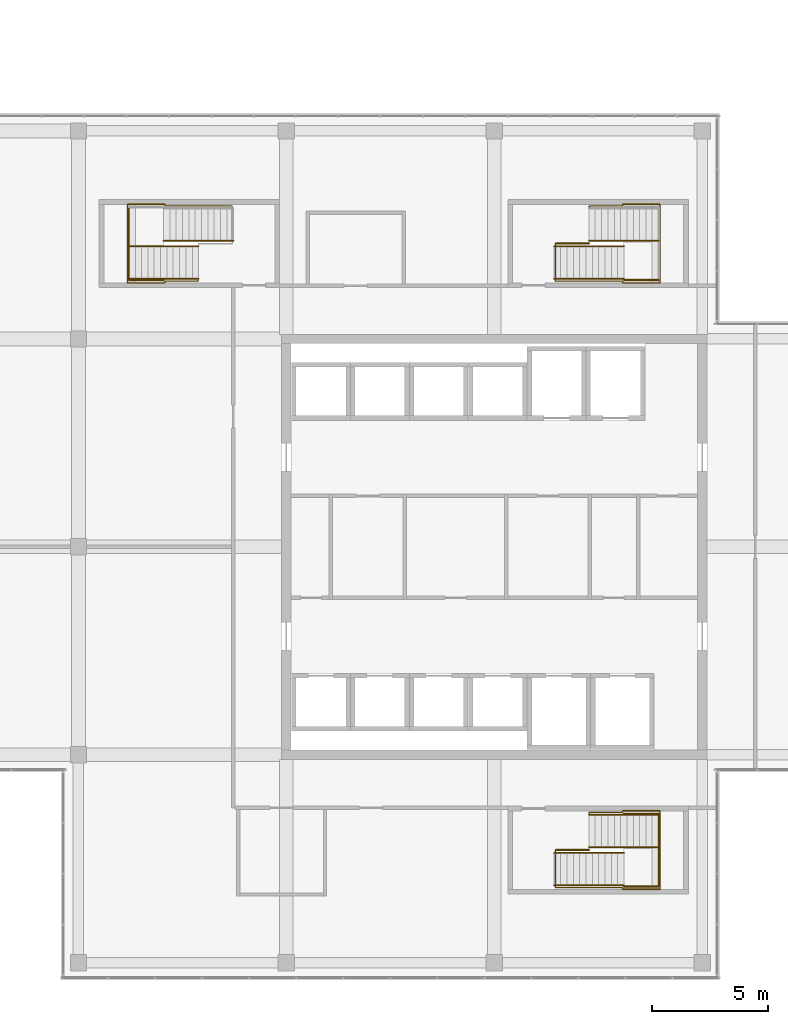
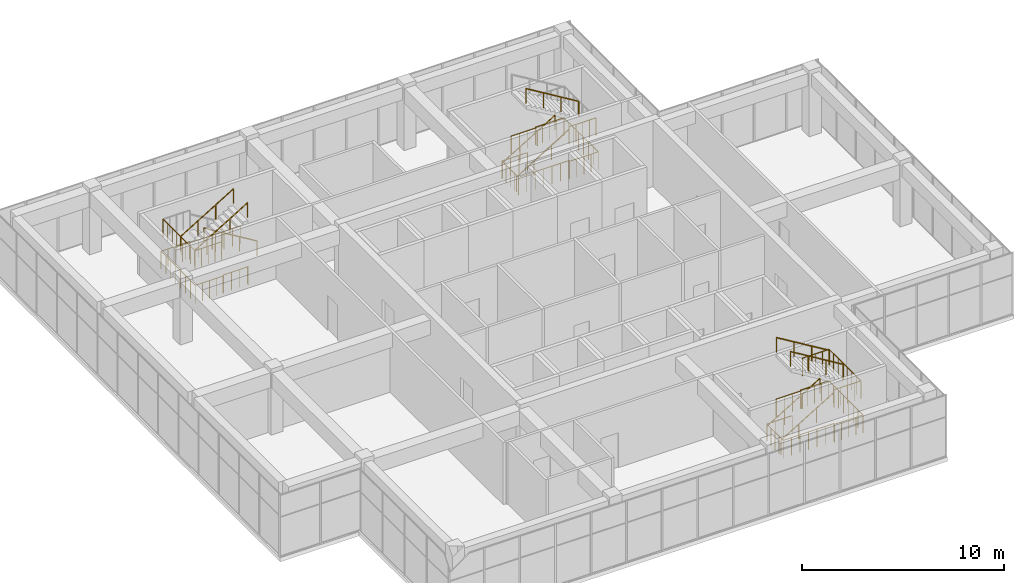
# One storey, part 42 of 43: 21 railings.
"""IFC4 building model written with IfcOpenShell, lengths in metres."""

from ifc_helpers import new_model, si_unit, direction, frame, origin, origin_2d, place, context, subcontext, project, spatial, circle, extrude, material, type_object, element, save


model = new_model("IFC4")

# Units and contexts
model_context = context("Model", 3, precision=1e-05, world=origin(), true_north=direction((0.0, 1.0)))
body_context = subcontext(model_context, "Body", "Model", "MODEL_VIEW")
ifc_project = project(units=[si_unit("LENGTHUNIT", "METRE"), si_unit("AREAUNIT", "SQUARE_METRE"), si_unit("VOLUMEUNIT", "CUBIC_METRE"), si_unit("PLANEANGLEUNIT", "RADIAN"), si_unit("MASSUNIT", "GRAM", prefix="KILO")], contexts=[model_context])

# Site, building, storey
site_placement = place(None, origin())
site = spatial("IfcSite", under=ifc_project, at=site_placement, CompositionType="ELEMENT")
building_placement = place(site_placement, origin())
building = spatial("IfcBuilding", under=site, at=building_placement, Name="Tuart Plaza Theatre", CompositionType="ELEMENT")
storey_placement = place(building_placement, frame((0.0, 0.0, 33.5)))
storey = spatial("IfcBuildingStorey", under=building, at=storey_placement, Name="L08", CompositionType="ELEMENT", Elevation=33.5)

# Railings
ifc_material_1 = material(Name="Steel Grade C350L0", Category="steel")
railing_type_1 = type_object("IfcRailingType", Name="RAILING Guard 1100", PredefinedType="GUARDRAIL", material=ifc_material_1)
railing_1_placement = place(storey_placement, frame((134.655029296875, 60.875, 0.0)))
element("IfcRailing", 1, at=railing_1_placement, inside=storey, type_object=railing_type_1, Name="GR234", PredefinedType="GUARDRAIL", context=body_context, shape_type="SweptSolid", body=[
    extrude(circle(Radius=0.02490234375, at=origin_2d()), frame((0.0, 0.0, 1.0751953125), z_axis=(1.0, 0.0, 0.0), x_axis=(0.0, 1.0, 0.0)), (0.0, 0.0, 1.0), 1.455078125),
    extrude(circle(Radius=0.02001953125, at=origin_2d()), origin(), (0.0, 0.0, 1.0), 1.050048828125),
    extrude(circle(Radius=0.02001953125, at=origin_2d()), frame((0.485107421875, 0.0, 0.0)), (0.0, 0.0, 1.0), 1.050048828125),
    extrude(circle(Radius=0.02001953125, at=origin_2d()), frame((0.969970703125, 0.0, 0.0)), (0.0, 0.0, 1.0), 1.050048828125),
    extrude(circle(Radius=0.02001953125, at=origin_2d()), frame((1.455078125, 0.0, 0.0)), (0.0, 0.0, 1.0), 1.050048828125),
])
railing_2_placement = place(storey_placement, frame((136.114990234375, 62.455078125, 0.0)))
element("IfcRailing", 2, at=railing_2_placement, inside=storey, type_object=railing_type_1, Name="GR235", PredefinedType="GUARDRAIL", context=body_context, shape_type="SweptSolid", body=[
    extrude(circle(Radius=0.02490234375, at=origin_2d()), frame((0.0, 0.0, 1.0751953125), z_axis=(0.0, 1.0, 0.0), x_axis=(-1.0, 0.0, 0.0)), (0.0, 0.0, 1.0), 0.044921875),
    extrude(circle(Radius=0.02490234375, at=origin_2d()), frame((0.0, 0.044921875, 1.0751953125), z_axis=(1.0, 0.0, 0.0), x_axis=(0.0, 1.0, 0.0)), (0.0, 0.0, 1.0), 1.43505859375),
    extrude(circle(Radius=0.02490234375, at=origin_2d()), frame((1.43505859375, 0.044921875, 1.0751953125), z_axis=(0.0, 1.0, 0.0), x_axis=(-1.0, 0.0, 0.0)), (0.0, 0.0, 1.0), 0.074951171875),
    extrude(circle(Radius=0.02490234375, at=origin_2d()), frame((1.43505859375, 0.119873046875, 1.0751953125), z_axis=(1.0, 0.0, 0.0), x_axis=(0.0, 1.0, 0.0)), (0.0, 0.0, 1.0), 1.6298828125),
    extrude(circle(Radius=0.02490234375, at=origin_2d()), frame((3.06494140625, 0.119873046875, 1.0751953125), z_axis=(0.0, -1.0, 0.0), x_axis=(1.0, 0.0, 0.0)), (0.0, 0.0, 1.0), 3.39990234375),
    extrude(circle(Radius=0.02490234375, at=origin_2d()), frame((3.06494140625, -3.280029296875, 1.0751953125), z_axis=(-1.0, 0.0, 0.0), x_axis=(0.0, -1.0, 0.0)), (0.0, 0.0, 1.0), 1.6298828125),
    extrude(circle(Radius=0.02490234375, at=origin_2d()), frame((1.43505859375, -3.280029296875, 1.0751953125), z_axis=(0.0, 1.0, 0.0), x_axis=(-1.0, 0.0, 0.0)), (0.0, 0.0, 1.0), 0.074951171875),
    extrude(circle(Radius=0.02490234375, at=origin_2d()), frame((1.43505859375, -3.205078125, 1.0751953125), z_axis=(-1.0, 0.0, 0.0), x_axis=(0.0, -1.0, 0.0)), (0.0, 0.0, 1.0), 2.89501953125),
    extrude(circle(Radius=0.02490234375, at=origin_2d()), frame((-1.4599609375, -3.205078125, 1.0751953125), z_axis=(0.0, 1.0, 0.0), x_axis=(-1.0, 0.0, 0.0)), (0.0, 0.0, 1.0), 1.625),
    extrude(circle(Radius=0.02001953125, at=origin_2d()), origin(), (0.0, 0.0, 1.0), 1.050048828125),
    extrude(circle(Radius=0.02001953125, at=origin_2d()), frame((0.0, 0.044921875, 0.0)), (0.0, 0.0, 1.0), 1.050048828125),
    extrude(circle(Radius=0.02001953125, at=origin_2d()), frame((0.478271484375, 0.044921875, 0.0)), (0.0, 0.0, 1.0), 1.050048828125),
    extrude(circle(Radius=0.02001953125, at=origin_2d()), frame((0.956787109375, 0.044921875, 0.0)), (0.0, 0.0, 1.0), 1.050048828125),
    extrude(circle(Radius=0.02001953125, at=origin_2d()), frame((1.43505859375, 0.044921875, 0.0)), (0.0, 0.0, 1.0), 1.050048828125),
    extrude(circle(Radius=0.02001953125, at=origin_2d()), frame((1.43505859375, 0.119873046875, 0.0)), (0.0, 0.0, 1.0), 1.050048828125),
    extrude(circle(Radius=0.02001953125, at=origin_2d()), frame((1.842529296875, 0.119873046875, 0.0)), (0.0, 0.0, 1.0), 1.050048828125),
    extrude(circle(Radius=0.02001953125, at=origin_2d()), frame((2.25, 0.119873046875, 0.0)), (0.0, 0.0, 1.0), 1.050048828125),
    extrude(circle(Radius=0.02001953125, at=origin_2d()), frame((2.657470703125, 0.119873046875, 0.0)), (0.0, 0.0, 1.0), 1.050048828125),
    extrude(circle(Radius=0.02001953125, at=origin_2d()), frame((3.06494140625, 0.119873046875, 0.0)), (0.0, 0.0, 1.0), 1.050048828125),
    extrude(circle(Radius=0.02001953125, at=origin_2d()), frame((3.06494140625, -0.36572265625, 0.0)), (0.0, 0.0, 1.0), 1.050048828125),
    extrude(circle(Radius=0.02001953125, at=origin_2d()), frame((3.06494140625, -0.8515625, 0.0)), (0.0, 0.0, 1.0), 1.050048828125),
    extrude(circle(Radius=0.02001953125, at=origin_2d()), frame((3.06494140625, -1.337158203125, 0.0)), (0.0, 0.0, 1.0), 1.050048828125),
    extrude(circle(Radius=0.02001953125, at=origin_2d()), frame((3.06494140625, -1.822998046875, 0.0)), (0.0, 0.0, 1.0), 1.050048828125),
    extrude(circle(Radius=0.02001953125, at=origin_2d()), frame((3.06494140625, -2.30859375, 0.0)), (0.0, 0.0, 1.0), 1.050048828125),
    extrude(circle(Radius=0.02001953125, at=origin_2d()), frame((3.06494140625, -2.79443359375, 0.0)), (0.0, 0.0, 1.0), 1.050048828125),
    extrude(circle(Radius=0.02001953125, at=origin_2d()), frame((3.06494140625, -3.280029296875, 0.0)), (0.0, 0.0, 1.0), 1.050048828125),
    extrude(circle(Radius=0.02001953125, at=origin_2d()), frame((2.657470703125, -3.280029296875, 0.0)), (0.0, 0.0, 1.0), 1.050048828125),
    extrude(circle(Radius=0.02001953125, at=origin_2d()), frame((2.25, -3.280029296875, 0.0)), (0.0, 0.0, 1.0), 1.050048828125),
    extrude(circle(Radius=0.02001953125, at=origin_2d()), frame((1.842529296875, -3.280029296875, 0.0)), (0.0, 0.0, 1.0), 1.050048828125),
    extrude(circle(Radius=0.02001953125, at=origin_2d()), frame((1.43505859375, -3.280029296875, 0.0)), (0.0, 0.0, 1.0), 1.050048828125),
    extrude(circle(Radius=0.02001953125, at=origin_2d()), frame((1.43505859375, -3.205078125, 0.0)), (0.0, 0.0, 1.0), 1.050048828125),
    extrude(circle(Radius=0.02001953125, at=origin_2d()), frame((0.95263671875, -3.205078125, 0.0)), (0.0, 0.0, 1.0), 1.050048828125),
    extrude(circle(Radius=0.02001953125, at=origin_2d()), frame((0.469970703125, -3.205078125, 0.0)), (0.0, 0.0, 1.0), 1.050048828125),
    extrude(circle(Radius=0.02001953125, at=origin_2d()), frame((-0.012451171875, -3.205078125, 0.0)), (0.0, 0.0, 1.0), 1.050048828125),
    extrude(circle(Radius=0.02001953125, at=origin_2d()), frame((-0.494873046875, -3.205078125, 0.0)), (0.0, 0.0, 1.0), 1.050048828125),
    extrude(circle(Radius=0.02001953125, at=origin_2d()), frame((-0.9775390625, -3.205078125, 0.0)), (0.0, 0.0, 1.0), 1.050048828125),
    extrude(circle(Radius=0.02001953125, at=origin_2d()), frame((-1.4599609375, -3.205078125, 0.0)), (0.0, 0.0, 1.0), 1.050048828125),
    extrude(circle(Radius=0.02001953125, at=origin_2d()), frame((-1.4599609375, -2.798828125, 0.0)), (0.0, 0.0, 1.0), 1.050048828125),
    extrude(circle(Radius=0.02001953125, at=origin_2d()), frame((-1.4599609375, -2.392578125, 0.0)), (0.0, 0.0, 1.0), 1.050048828125),
    extrude(circle(Radius=0.02001953125, at=origin_2d()), frame((-1.4599609375, -1.986328125, 0.0)), (0.0, 0.0, 1.0), 1.050048828125),
    extrude(circle(Radius=0.02001953125, at=origin_2d()), frame((-1.4599609375, -1.580078125, 0.0)), (0.0, 0.0, 1.0), 1.050048828125),
])
railing_3_placement = place(storey_placement, frame((137.60009765625, 59.300048828125, 2.0)))
element("IfcRailing", 3, at=railing_3_placement, inside=storey, type_object=railing_type_1, Name="GR241", PredefinedType="GUARDRAIL", context=body_context, shape_type="SweptSolid", body=[
    extrude(circle(Radius=0.02490234375, at=origin_2d()), frame((0.0, 0.0, 1.0751953125), z_axis=(1.0, 0.0, 0.0), x_axis=(0.0, 1.0, 0.0)), (0.0, 0.0, 1.0), 1.52978515625),
    extrude(circle(Radius=0.02001953125, at=origin_2d()), origin(), (0.0, 0.0, 1.0), 1.050048828125),
    extrude(circle(Radius=0.02001953125, at=origin_2d()), frame((0.38232421875, 0.0, 0.0)), (0.0, 0.0, 1.0), 1.050048828125),
    extrude(circle(Radius=0.02001953125, at=origin_2d()), frame((0.764892578125, 0.0, 0.0)), (0.0, 0.0, 1.0), 1.050048828125),
    extrude(circle(Radius=0.02001953125, at=origin_2d()), frame((1.1474609375, 0.0, 0.0)), (0.0, 0.0, 1.0), 1.050048828125),
    extrude(circle(Radius=0.02001953125, at=origin_2d()), frame((1.52978515625, 0.0, 0.0)), (0.0, 0.0, 1.0), 1.050048828125),
])
railing_4_placement = place(storey_placement, frame((139.1298828125, 59.300048828125, 2.0)))
element("IfcRailing", 4, at=railing_4_placement, inside=storey, type_object=railing_type_1, Name="GR242", PredefinedType="GUARDRAIL", context=body_context, shape_type="SweptSolid", body=[
    extrude(circle(Radius=0.02490234375, at=origin_2d()), frame((0.0, 0.0, 1.0751953125), z_axis=(0.0, 1.0, 0.0), x_axis=(-1.0, 0.0, 0.0)), (0.0, 0.0, 1.0), 3.14990234375),
    extrude(circle(Radius=0.02001953125, at=origin_2d()), origin(), (0.0, 0.0, 1.0), 1.050048828125),
    extrude(circle(Radius=0.02001953125, at=origin_2d()), frame((0.0, 0.449951171875, 0.0)), (0.0, 0.0, 1.0), 1.050048828125),
    extrude(circle(Radius=0.02001953125, at=origin_2d()), frame((0.0, 0.89990234375, 0.0)), (0.0, 0.0, 1.0), 1.050048828125),
    extrude(circle(Radius=0.02001953125, at=origin_2d()), frame((0.0, 1.349853515625, 0.0)), (0.0, 0.0, 1.0), 1.050048828125),
    extrude(circle(Radius=0.02001953125, at=origin_2d()), frame((0.0, 1.800048828125, 0.0)), (0.0, 0.0, 1.0), 1.050048828125),
    extrude(circle(Radius=0.02001953125, at=origin_2d()), frame((0.0, 2.25, 0.0)), (0.0, 0.0, 1.0), 1.050048828125),
    extrude(circle(Radius=0.02001953125, at=origin_2d()), frame((0.0, 2.699951171875, 0.0)), (0.0, 0.0, 1.0), 1.050048828125),
    extrude(circle(Radius=0.02001953125, at=origin_2d()), frame((0.0, 3.14990234375, 0.0)), (0.0, 0.0, 1.0), 1.050048828125),
])
railing_5_placement = place(storey_placement, frame((139.1298828125, 62.449951171875, 2.0)))
element("IfcRailing", 5, at=railing_5_placement, inside=storey, type_object=railing_type_1, Name="GR243", PredefinedType="GUARDRAIL", context=body_context, shape_type="SweptSolid", body=[
    extrude(circle(Radius=0.02490234375, at=origin_2d()), frame((0.0, 0.0, 1.0751953125), z_axis=(-1.0, 0.0, 0.0), x_axis=(0.0, -1.0, 0.0)), (0.0, 0.0, 1.0), 1.52978515625),
    extrude(circle(Radius=0.02001953125, at=origin_2d()), origin(), (0.0, 0.0, 1.0), 1.050048828125),
    extrude(circle(Radius=0.02001953125, at=origin_2d()), frame((-0.38232421875, 0.0, 0.0)), (0.0, 0.0, 1.0), 1.050048828125),
    extrude(circle(Radius=0.02001953125, at=origin_2d()), frame((-0.764892578125, 0.0, 0.0)), (0.0, 0.0, 1.0), 1.050048828125),
    extrude(circle(Radius=0.02001953125, at=origin_2d()), frame((-1.1474609375, 0.0, 0.0)), (0.0, 0.0, 1.0), 1.050048828125),
    extrude(circle(Radius=0.02001953125, at=origin_2d()), frame((-1.52978515625, 0.0, 0.0)), (0.0, 0.0, 1.0), 1.050048828125),
])
railing_6_placement = place(storey_placement, frame((134.655029296875, 87.125, 0.0)))
element("IfcRailing", 6, at=railing_6_placement, inside=storey, type_object=railing_type_1, Name="GR313", PredefinedType="GUARDRAIL", context=body_context, shape_type="SweptSolid", body=[
    extrude(circle(Radius=0.02490234375, at=origin_2d()), frame((0.0, 0.0, 1.0751953125), z_axis=(1.0, 0.0, 0.0), x_axis=(0.0, 1.0, 0.0)), (0.0, 0.0, 1.0), 1.455078125),
    extrude(circle(Radius=0.02001953125, at=origin_2d()), origin(), (0.0, 0.0, 1.0), 1.050048828125),
    extrude(circle(Radius=0.02001953125, at=origin_2d()), frame((0.485107421875, 0.0, 0.0)), (0.0, 0.0, 1.0), 1.050048828125),
    extrude(circle(Radius=0.02001953125, at=origin_2d()), frame((0.969970703125, 0.0, 0.0)), (0.0, 0.0, 1.0), 1.050048828125),
    extrude(circle(Radius=0.02001953125, at=origin_2d()), frame((1.455078125, 0.0, 0.0)), (0.0, 0.0, 1.0), 1.050048828125),
])
railing_7_placement = place(storey_placement, frame((136.114990234375, 88.705078125, 0.0)))
element("IfcRailing", 7, at=railing_7_placement, inside=storey, type_object=railing_type_1, Name="GR314", PredefinedType="GUARDRAIL", context=body_context, shape_type="SweptSolid", body=[
    extrude(circle(Radius=0.02490234375, at=origin_2d()), frame((0.0, 0.0, 1.0751953125), z_axis=(0.0, 1.0, 0.0), x_axis=(-1.0, 0.0, 0.0)), (0.0, 0.0, 1.0), 0.044921875),
    extrude(circle(Radius=0.02490234375, at=origin_2d()), frame((0.0, 0.044921875, 1.0751953125), z_axis=(1.0, 0.0, 0.0), x_axis=(0.0, 1.0, 0.0)), (0.0, 0.0, 1.0), 1.43505859375),
    extrude(circle(Radius=0.02490234375, at=origin_2d()), frame((1.43505859375, 0.044921875, 1.0751953125), z_axis=(0.0, 1.0, 0.0), x_axis=(-1.0, 0.0, 0.0)), (0.0, 0.0, 1.0), 0.074951171875),
    extrude(circle(Radius=0.02490234375, at=origin_2d()), frame((1.43505859375, 0.119873046875, 1.0751953125), z_axis=(1.0, 0.0, 0.0), x_axis=(0.0, 1.0, 0.0)), (0.0, 0.0, 1.0), 1.6298828125),
    extrude(circle(Radius=0.02490234375, at=origin_2d()), frame((3.06494140625, 0.119873046875, 1.0751953125), z_axis=(0.0, -1.0, 0.0), x_axis=(1.0, 0.0, 0.0)), (0.0, 0.0, 1.0), 3.39990234375),
    extrude(circle(Radius=0.02490234375, at=origin_2d()), frame((3.06494140625, -3.280029296875, 1.0751953125), z_axis=(-1.0, 0.0, 0.0), x_axis=(0.0, -1.0, 0.0)), (0.0, 0.0, 1.0), 1.6298828125),
    extrude(circle(Radius=0.02490234375, at=origin_2d()), frame((1.43505859375, -3.280029296875, 1.0751953125), z_axis=(0.0, 1.0, 0.0), x_axis=(-1.0, 0.0, 0.0)), (0.0, 0.0, 1.0), 0.074951171875),
    extrude(circle(Radius=0.02490234375, at=origin_2d()), frame((1.43505859375, -3.205078125, 1.0751953125), z_axis=(-1.0, 0.0, 0.0), x_axis=(0.0, -1.0, 0.0)), (0.0, 0.0, 1.0), 2.89501953125),
    extrude(circle(Radius=0.02490234375, at=origin_2d()), frame((-1.4599609375, -3.205078125, 1.0751953125), z_axis=(0.0, 1.0, 0.0), x_axis=(-1.0, 0.0, 0.0)), (0.0, 0.0, 1.0), 1.625),
    extrude(circle(Radius=0.02001953125, at=origin_2d()), origin(), (0.0, 0.0, 1.0), 1.050048828125),
    extrude(circle(Radius=0.02001953125, at=origin_2d()), frame((0.0, 0.044921875, 0.0)), (0.0, 0.0, 1.0), 1.050048828125),
    extrude(circle(Radius=0.02001953125, at=origin_2d()), frame((0.478271484375, 0.044921875, 0.0)), (0.0, 0.0, 1.0), 1.050048828125),
    extrude(circle(Radius=0.02001953125, at=origin_2d()), frame((0.956787109375, 0.044921875, 0.0)), (0.0, 0.0, 1.0), 1.050048828125),
    extrude(circle(Radius=0.02001953125, at=origin_2d()), frame((1.43505859375, 0.044921875, 0.0)), (0.0, 0.0, 1.0), 1.050048828125),
    extrude(circle(Radius=0.02001953125, at=origin_2d()), frame((1.43505859375, 0.119873046875, 0.0)), (0.0, 0.0, 1.0), 1.050048828125),
    extrude(circle(Radius=0.02001953125, at=origin_2d()), frame((1.842529296875, 0.119873046875, 0.0)), (0.0, 0.0, 1.0), 1.050048828125),
    extrude(circle(Radius=0.02001953125, at=origin_2d()), frame((2.25, 0.119873046875, 0.0)), (0.0, 0.0, 1.0), 1.050048828125),
    extrude(circle(Radius=0.02001953125, at=origin_2d()), frame((2.657470703125, 0.119873046875, 0.0)), (0.0, 0.0, 1.0), 1.050048828125),
    extrude(circle(Radius=0.02001953125, at=origin_2d()), frame((3.06494140625, 0.119873046875, 0.0)), (0.0, 0.0, 1.0), 1.050048828125),
    extrude(circle(Radius=0.02001953125, at=origin_2d()), frame((3.06494140625, -0.36572265625, 0.0)), (0.0, 0.0, 1.0), 1.050048828125),
    extrude(circle(Radius=0.02001953125, at=origin_2d()), frame((3.06494140625, -0.8515625, 0.0)), (0.0, 0.0, 1.0), 1.050048828125),
    extrude(circle(Radius=0.02001953125, at=origin_2d()), frame((3.06494140625, -1.337158203125, 0.0)), (0.0, 0.0, 1.0), 1.050048828125),
    extrude(circle(Radius=0.02001953125, at=origin_2d()), frame((3.06494140625, -1.822998046875, 0.0)), (0.0, 0.0, 1.0), 1.050048828125),
    extrude(circle(Radius=0.02001953125, at=origin_2d()), frame((3.06494140625, -2.30859375, 0.0)), (0.0, 0.0, 1.0), 1.050048828125),
    extrude(circle(Radius=0.02001953125, at=origin_2d()), frame((3.06494140625, -2.79443359375, 0.0)), (0.0, 0.0, 1.0), 1.050048828125),
    extrude(circle(Radius=0.02001953125, at=origin_2d()), frame((3.06494140625, -3.280029296875, 0.0)), (0.0, 0.0, 1.0), 1.050048828125),
    extrude(circle(Radius=0.02001953125, at=origin_2d()), frame((2.657470703125, -3.280029296875, 0.0)), (0.0, 0.0, 1.0), 1.050048828125),
    extrude(circle(Radius=0.02001953125, at=origin_2d()), frame((2.25, -3.280029296875, 0.0)), (0.0, 0.0, 1.0), 1.050048828125),
    extrude(circle(Radius=0.02001953125, at=origin_2d()), frame((1.842529296875, -3.280029296875, 0.0)), (0.0, 0.0, 1.0), 1.050048828125),
    extrude(circle(Radius=0.02001953125, at=origin_2d()), frame((1.43505859375, -3.280029296875, 0.0)), (0.0, 0.0, 1.0), 1.050048828125),
    extrude(circle(Radius=0.02001953125, at=origin_2d()), frame((1.43505859375, -3.205078125, 0.0)), (0.0, 0.0, 1.0), 1.050048828125),
    extrude(circle(Radius=0.02001953125, at=origin_2d()), frame((0.95263671875, -3.205078125, 0.0)), (0.0, 0.0, 1.0), 1.050048828125),
    extrude(circle(Radius=0.02001953125, at=origin_2d()), frame((0.469970703125, -3.205078125, 0.0)), (0.0, 0.0, 1.0), 1.050048828125),
    extrude(circle(Radius=0.02001953125, at=origin_2d()), frame((-0.012451171875, -3.205078125, 0.0)), (0.0, 0.0, 1.0), 1.050048828125),
    extrude(circle(Radius=0.02001953125, at=origin_2d()), frame((-0.494873046875, -3.205078125, 0.0)), (0.0, 0.0, 1.0), 1.050048828125),
    extrude(circle(Radius=0.02001953125, at=origin_2d()), frame((-0.9775390625, -3.205078125, 0.0)), (0.0, 0.0, 1.0), 1.050048828125),
    extrude(circle(Radius=0.02001953125, at=origin_2d()), frame((-1.4599609375, -3.205078125, 0.0)), (0.0, 0.0, 1.0), 1.050048828125),
    extrude(circle(Radius=0.02001953125, at=origin_2d()), frame((-1.4599609375, -2.798828125, 0.0)), (0.0, 0.0, 1.0), 1.050048828125),
    extrude(circle(Radius=0.02001953125, at=origin_2d()), frame((-1.4599609375, -2.392578125, 0.0)), (0.0, 0.0, 1.0), 1.050048828125),
    extrude(circle(Radius=0.02001953125, at=origin_2d()), frame((-1.4599609375, -1.986328125, 0.0)), (0.0, 0.0, 1.0), 1.050048828125),
    extrude(circle(Radius=0.02001953125, at=origin_2d()), frame((-1.4599609375, -1.580078125, 0.0)), (0.0, 0.0, 1.0), 1.050048828125),
])
railing_8_placement = place(storey_placement, frame((137.60009765625, 85.550048828125, 2.0)))
element("IfcRailing", 8, at=railing_8_placement, inside=storey, type_object=railing_type_1, Name="GR320", PredefinedType="GUARDRAIL", context=body_context, shape_type="SweptSolid", body=[
    extrude(circle(Radius=0.02490234375, at=origin_2d()), frame((0.0, 0.0, 1.0751953125), z_axis=(1.0, 0.0, 0.0), x_axis=(0.0, 1.0, 0.0)), (0.0, 0.0, 1.0), 1.52978515625),
    extrude(circle(Radius=0.02001953125, at=origin_2d()), origin(), (0.0, 0.0, 1.0), 1.050048828125),
    extrude(circle(Radius=0.02001953125, at=origin_2d()), frame((0.38232421875, 0.0, 0.0)), (0.0, 0.0, 1.0), 1.050048828125),
    extrude(circle(Radius=0.02001953125, at=origin_2d()), frame((0.764892578125, 0.0, 0.0)), (0.0, 0.0, 1.0), 1.050048828125),
    extrude(circle(Radius=0.02001953125, at=origin_2d()), frame((1.1474609375, 0.0, 0.0)), (0.0, 0.0, 1.0), 1.050048828125),
    extrude(circle(Radius=0.02001953125, at=origin_2d()), frame((1.52978515625, 0.0, 0.0)), (0.0, 0.0, 1.0), 1.050048828125),
])
railing_9_placement = place(storey_placement, frame((119.18505859375, 85.544921875, 0.0)))
element("IfcRailing", 9, at=railing_9_placement, inside=storey, type_object=railing_type_1, Name="GR393", PredefinedType="GUARDRAIL", context=body_context, shape_type="SweptSolid", body=[
    extrude(circle(Radius=0.02490234375, at=origin_2d()), frame((0.0, 0.0, 1.0751953125), z_axis=(0.0, -1.0, 0.0), x_axis=(1.0, 0.0, 0.0)), (0.0, 0.0, 1.0), 0.044921875),
    extrude(circle(Radius=0.02490234375, at=origin_2d()), frame((0.0, -0.044921875, 1.0751953125), z_axis=(-1.0, 0.0, 0.0), x_axis=(0.0, -1.0, 0.0)), (0.0, 0.0, 1.0), 1.43505859375),
    extrude(circle(Radius=0.02490234375, at=origin_2d()), frame((-1.43505859375, -0.044921875, 1.0751953125), z_axis=(0.0, -1.0, 0.0), x_axis=(1.0, 0.0, 0.0)), (0.0, 0.0, 1.0), 0.074951171875),
    extrude(circle(Radius=0.02490234375, at=origin_2d()), frame((-1.43505859375, -0.119873046875, 1.0751953125), z_axis=(-1.0, 0.0, 0.0), x_axis=(0.0, -1.0, 0.0)), (0.0, 0.0, 1.0), 1.6298828125),
    extrude(circle(Radius=0.02490234375, at=origin_2d()), frame((-3.06494140625, -0.119873046875, 1.0751953125), z_axis=(0.0, 1.0, 0.0), x_axis=(-1.0, 0.0, 0.0)), (0.0, 0.0, 1.0), 3.39990234375),
    extrude(circle(Radius=0.02490234375, at=origin_2d()), frame((-3.06494140625, 3.280029296875, 1.0751953125), z_axis=(1.0, 0.0, 0.0), x_axis=(0.0, 1.0, 0.0)), (0.0, 0.0, 1.0), 1.6298828125),
    extrude(circle(Radius=0.02490234375, at=origin_2d()), frame((-1.43505859375, 3.280029296875, 1.0751953125), z_axis=(0.0, -1.0, 0.0), x_axis=(1.0, 0.0, 0.0)), (0.0, 0.0, 1.0), 0.074951171875),
    extrude(circle(Radius=0.02490234375, at=origin_2d()), frame((-1.43505859375, 3.205078125, 1.0751953125), z_axis=(1.0, 0.0, 0.0), x_axis=(0.0, 1.0, 0.0)), (0.0, 0.0, 1.0), 2.89501953125),
    extrude(circle(Radius=0.02001953125, at=origin_2d()), origin(), (0.0, 0.0, 1.0), 1.050048828125),
    extrude(circle(Radius=0.02001953125, at=origin_2d()), frame((0.0, -0.044921875, 0.0)), (0.0, 0.0, 1.0), 1.050048828125),
    extrude(circle(Radius=0.02001953125, at=origin_2d()), frame((-0.478271484375, -0.044921875, 0.0)), (0.0, 0.0, 1.0), 1.050048828125),
    extrude(circle(Radius=0.02001953125, at=origin_2d()), frame((-0.956787109375, -0.044921875, 0.0)), (0.0, 0.0, 1.0), 1.050048828125),
    extrude(circle(Radius=0.02001953125, at=origin_2d()), frame((-1.43505859375, -0.044921875, 0.0)), (0.0, 0.0, 1.0), 1.050048828125),
    extrude(circle(Radius=0.02001953125, at=origin_2d()), frame((-1.43505859375, -0.119873046875, 0.0)), (0.0, 0.0, 1.0), 1.050048828125),
    extrude(circle(Radius=0.02001953125, at=origin_2d()), frame((-1.842529296875, -0.119873046875, 0.0)), (0.0, 0.0, 1.0), 1.050048828125),
    extrude(circle(Radius=0.02001953125, at=origin_2d()), frame((-2.25, -0.119873046875, 0.0)), (0.0, 0.0, 1.0), 1.050048828125),
    extrude(circle(Radius=0.02001953125, at=origin_2d()), frame((-2.657470703125, -0.119873046875, 0.0)), (0.0, 0.0, 1.0), 1.050048828125),
    extrude(circle(Radius=0.02001953125, at=origin_2d()), frame((-3.06494140625, -0.119873046875, 0.0)), (0.0, 0.0, 1.0), 1.050048828125),
    extrude(circle(Radius=0.02001953125, at=origin_2d()), frame((-3.06494140625, 0.36572265625, 0.0)), (0.0, 0.0, 1.0), 1.050048828125),
    extrude(circle(Radius=0.02001953125, at=origin_2d()), frame((-3.06494140625, 0.8515625, 0.0)), (0.0, 0.0, 1.0), 1.050048828125),
    extrude(circle(Radius=0.02001953125, at=origin_2d()), frame((-3.06494140625, 1.337158203125, 0.0)), (0.0, 0.0, 1.0), 1.050048828125),
    extrude(circle(Radius=0.02001953125, at=origin_2d()), frame((-3.06494140625, 1.822998046875, 0.0)), (0.0, 0.0, 1.0), 1.050048828125),
    extrude(circle(Radius=0.02001953125, at=origin_2d()), frame((-3.06494140625, 2.30859375, 0.0)), (0.0, 0.0, 1.0), 1.050048828125),
    extrude(circle(Radius=0.02001953125, at=origin_2d()), frame((-3.06494140625, 2.79443359375, 0.0)), (0.0, 0.0, 1.0), 1.050048828125),
    extrude(circle(Radius=0.02001953125, at=origin_2d()), frame((-3.06494140625, 3.280029296875, 0.0)), (0.0, 0.0, 1.0), 1.050048828125),
    extrude(circle(Radius=0.02001953125, at=origin_2d()), frame((-2.657470703125, 3.280029296875, 0.0)), (0.0, 0.0, 1.0), 1.050048828125),
    extrude(circle(Radius=0.02001953125, at=origin_2d()), frame((-2.25, 3.280029296875, 0.0)), (0.0, 0.0, 1.0), 1.050048828125),
    extrude(circle(Radius=0.02001953125, at=origin_2d()), frame((-1.842529296875, 3.280029296875, 0.0)), (0.0, 0.0, 1.0), 1.050048828125),
    extrude(circle(Radius=0.02001953125, at=origin_2d()), frame((-1.43505859375, 3.280029296875, 0.0)), (0.0, 0.0, 1.0), 1.050048828125),
    extrude(circle(Radius=0.02001953125, at=origin_2d()), frame((-1.43505859375, 3.205078125, 0.0)), (0.0, 0.0, 1.0), 1.050048828125),
    extrude(circle(Radius=0.02001953125, at=origin_2d()), frame((-0.95263671875, 3.205078125, 0.0)), (0.0, 0.0, 1.0), 1.050048828125),
    extrude(circle(Radius=0.02001953125, at=origin_2d()), frame((-0.469970703125, 3.205078125, 0.0)), (0.0, 0.0, 1.0), 1.050048828125),
    extrude(circle(Radius=0.02001953125, at=origin_2d()), frame((0.012451171875, 3.205078125, 0.0)), (0.0, 0.0, 1.0), 1.050048828125),
    extrude(circle(Radius=0.02001953125, at=origin_2d()), frame((0.494873046875, 3.205078125, 0.0)), (0.0, 0.0, 1.0), 1.050048828125),
    extrude(circle(Radius=0.02001953125, at=origin_2d()), frame((0.9775390625, 3.205078125, 0.0)), (0.0, 0.0, 1.0), 1.050048828125),
    extrude(circle(Radius=0.02001953125, at=origin_2d()), frame((1.4599609375, 3.205078125, 0.0)), (0.0, 0.0, 1.0), 1.050048828125),
])
railing_10_placement = place(storey_placement, frame((116.169921875, 88.699951171875, 2.0)))
element("IfcRailing", 10, at=railing_10_placement, inside=storey, type_object=railing_type_1, Name="GR400", PredefinedType="GUARDRAIL", context=body_context, shape_type="SweptSolid", body=[
    extrude(circle(Radius=0.02490234375, at=origin_2d()), frame((0.0, 0.0, 1.0751953125), z_axis=(0.0, -1.0, 0.0), x_axis=(1.0, 0.0, 0.0)), (0.0, 0.0, 1.0), 3.14990234375),
    extrude(circle(Radius=0.02001953125, at=origin_2d()), origin(), (0.0, 0.0, 1.0), 1.050048828125),
    extrude(circle(Radius=0.02001953125, at=origin_2d()), frame((0.0, -0.449951171875, 0.0)), (0.0, 0.0, 1.0), 1.050048828125),
    extrude(circle(Radius=0.02001953125, at=origin_2d()), frame((0.0, -0.89990234375, 0.0)), (0.0, 0.0, 1.0), 1.050048828125),
    extrude(circle(Radius=0.02001953125, at=origin_2d()), frame((0.0, -1.349853515625, 0.0)), (0.0, 0.0, 1.0), 1.050048828125),
    extrude(circle(Radius=0.02001953125, at=origin_2d()), frame((0.0, -1.800048828125, 0.0)), (0.0, 0.0, 1.0), 1.050048828125),
    extrude(circle(Radius=0.02001953125, at=origin_2d()), frame((0.0, -2.25, 0.0)), (0.0, 0.0, 1.0), 1.050048828125),
    extrude(circle(Radius=0.02001953125, at=origin_2d()), frame((0.0, -2.699951171875, 0.0)), (0.0, 0.0, 1.0), 1.050048828125),
    extrude(circle(Radius=0.02001953125, at=origin_2d()), frame((0.0, -3.14990234375, 0.0)), (0.0, 0.0, 1.0), 1.050048828125),
])
railing_11_placement = place(storey_placement, frame((116.169921875, 85.550048828125, 2.0)))
element("IfcRailing", 11, at=railing_11_placement, inside=storey, type_object=railing_type_1, Name="GR401", PredefinedType="GUARDRAIL", context=body_context, shape_type="SweptSolid", body=[
    extrude(circle(Radius=0.02490234375, at=origin_2d()), frame((0.0, 0.0, 1.0751953125), z_axis=(1.0, 0.0, 0.0), x_axis=(0.0, 1.0, 0.0)), (0.0, 0.0, 1.0), 1.530029296875),
    extrude(circle(Radius=0.02001953125, at=origin_2d()), origin(), (0.0, 0.0, 1.0), 1.050048828125),
    extrude(circle(Radius=0.02001953125, at=origin_2d()), frame((0.382568359375, 0.0, 0.0)), (0.0, 0.0, 1.0), 1.050048828125),
    extrude(circle(Radius=0.02001953125, at=origin_2d()), frame((0.76513671875, 0.0, 0.0)), (0.0, 0.0, 1.0), 1.050048828125),
    extrude(circle(Radius=0.02001953125, at=origin_2d()), frame((1.1474609375, 0.0, 0.0)), (0.0, 0.0, 1.0), 1.050048828125),
    extrude(circle(Radius=0.02001953125, at=origin_2d()), frame((1.530029296875, 0.0, 0.0)), (0.0, 0.0, 1.0), 1.050048828125),
])
ifc_material_2 = material(Name="Steel Grade C350L0", Category="steel")
railing_type_2 = type_object("IfcRailingType", Name="RAILING Handrail 900", PredefinedType="HANDRAIL", material=ifc_material_2)
for number, where, name in (
    (12, (134.594970703125, 60.75, 0.166748046875), "HR147"),
    (13, (134.594970703125, 59.35009765625, 0.166748046875), "HR148"),
):
    element("IfcRailing", number, at=place(storey_placement, frame(where)), inside=storey, type_object=railing_type_2, Name=name, PredefinedType="HANDRAIL", context=body_context, shape_type="SweptSolid", body=[
        extrude(circle(Radius=0.0224609375, at=origin_2d()), frame((0.0, 0.0, 0.87744140625), z_axis=(0.855219153138, 0.0, 0.518266533848), x_axis=(0.0, 1.0, 0.0)), (0.0, 0.0, 1.0), 3.537353515625),
        extrude(circle(Radius=0.01513671875, at=origin_2d()), origin(), (0.0, 0.0, 1.0), 0.85498046875),
        extrude(circle(Radius=0.01513671875, at=origin_2d()), frame((1.00830078125, 0.0, 0.611083984375)), (0.0, 0.0, 1.0), 0.85498046875),
        extrude(circle(Radius=0.01513671875, at=origin_2d()), frame((2.016845703125, 0.0, 1.22216796875)), (0.0, 0.0, 1.0), 0.85498046875),
        extrude(circle(Radius=0.01513671875, at=origin_2d()), frame((3.025146484375, 0.0, 1.833251953125)), (0.0, 0.0, 1.0), 0.85498046875),
    ])
for number, where, name in (
    (14, (139.1201171875, 61.0, 2.166748046875), "HR149"),
    (15, (139.1201171875, 62.39990234375, 2.166748046875), "HR150"),
):
    element("IfcRailing", number, at=place(storey_placement, frame(where)), inside=storey, type_object=railing_type_2, Name=name, PredefinedType="HANDRAIL", context=body_context, shape_type="SweptSolid", body=[
        extrude(circle(Radius=0.0224609375, at=origin_2d()), frame((0.0, 0.0, 0.87744140625), z_axis=(-0.855219153138, 0.0, 0.518266533848), x_axis=(0.0, -1.0, 0.0)), (0.0, 0.0, 1.0), 3.537353515625),
        extrude(circle(Radius=0.01513671875, at=origin_2d()), origin(), (0.0, 0.0, 1.0), 0.85498046875),
        extrude(circle(Radius=0.01513671875, at=origin_2d()), frame((-1.00830078125, 0.0, 0.611083984375)), (0.0, 0.0, 1.0), 0.85498046875),
        extrude(circle(Radius=0.01513671875, at=origin_2d()), frame((-2.016845703125, 0.0, 1.22216796875)), (0.0, 0.0, 1.0), 0.85498046875),
        extrude(circle(Radius=0.01513671875, at=origin_2d()), frame((-3.025146484375, 0.0, 1.833251953125)), (0.0, 0.0, 1.0), 0.85498046875),
    ])
for number, where, name in (
    (16, (134.594970703125, 87.0, 0.166748046875), "HR211"),
    (17, (134.594970703125, 85.60009765625, 0.166748046875), "HR212"),
):
    element("IfcRailing", number, at=place(storey_placement, frame(where)), inside=storey, type_object=railing_type_2, Name=name, PredefinedType="HANDRAIL", context=body_context, shape_type="SweptSolid", body=[
        extrude(circle(Radius=0.0224609375, at=origin_2d()), frame((0.0, 0.0, 0.87744140625), z_axis=(0.855219153138, 0.0, 0.518266533848), x_axis=(0.0, 1.0, 0.0)), (0.0, 0.0, 1.0), 3.537353515625),
        extrude(circle(Radius=0.01513671875, at=origin_2d()), origin(), (0.0, 0.0, 1.0), 0.85498046875),
        extrude(circle(Radius=0.01513671875, at=origin_2d()), frame((1.00830078125, 0.0, 0.611083984375)), (0.0, 0.0, 1.0), 0.85498046875),
        extrude(circle(Radius=0.01513671875, at=origin_2d()), frame((2.016845703125, 0.0, 1.22216796875)), (0.0, 0.0, 1.0), 0.85498046875),
        extrude(circle(Radius=0.01513671875, at=origin_2d()), frame((3.025146484375, 0.0, 1.833251953125)), (0.0, 0.0, 1.0), 0.85498046875),
    ])
for number, where, name in (
    (18, (139.1201171875, 87.25, 2.166748046875), "HR213"),
    (19, (120.705078125, 87.25, 0.166748046875), "HR275"),
):
    element("IfcRailing", number, at=place(storey_placement, frame(where)), inside=storey, type_object=railing_type_2, Name=name, PredefinedType="HANDRAIL", context=body_context, shape_type="SweptSolid", body=[
        extrude(circle(Radius=0.0224609375, at=origin_2d()), frame((0.0, 0.0, 0.87744140625), z_axis=(-0.855219153138, 0.0, 0.518266533848), x_axis=(0.0, -1.0, 0.0)), (0.0, 0.0, 1.0), 3.537353515625),
        extrude(circle(Radius=0.01513671875, at=origin_2d()), origin(), (0.0, 0.0, 1.0), 0.85498046875),
        extrude(circle(Radius=0.01513671875, at=origin_2d()), frame((-1.00830078125, 0.0, 0.611083984375)), (0.0, 0.0, 1.0), 0.85498046875),
        extrude(circle(Radius=0.01513671875, at=origin_2d()), frame((-2.016845703125, 0.0, 1.22216796875)), (0.0, 0.0, 1.0), 0.85498046875),
        extrude(circle(Radius=0.01513671875, at=origin_2d()), frame((-3.025146484375, 0.0, 1.833251953125)), (0.0, 0.0, 1.0), 0.85498046875),
    ])
for number, where, name in (
    (20, (116.179931640625, 87.0, 2.166748046875), "HR277"),
    (21, (116.179931640625, 85.60009765625, 2.166748046875), "HR278"),
):
    element("IfcRailing", number, at=place(storey_placement, frame(where)), inside=storey, type_object=railing_type_2, Name=name, PredefinedType="HANDRAIL", context=body_context, shape_type="SweptSolid", body=[
        extrude(circle(Radius=0.0224609375, at=origin_2d()), frame((0.0, 0.0, 0.87744140625), z_axis=(0.855219153138, 0.0, 0.518266533848), x_axis=(0.0, 1.0, 0.0)), (0.0, 0.0, 1.0), 3.537353515625),
        extrude(circle(Radius=0.01513671875, at=origin_2d()), origin(), (0.0, 0.0, 1.0), 0.85498046875),
        extrude(circle(Radius=0.01513671875, at=origin_2d()), frame((1.00830078125, 0.0, 0.611083984375)), (0.0, 0.0, 1.0), 0.85498046875),
        extrude(circle(Radius=0.01513671875, at=origin_2d()), frame((2.016845703125, 0.0, 1.22216796875)), (0.0, 0.0, 1.0), 0.85498046875),
        extrude(circle(Radius=0.01513671875, at=origin_2d()), frame((3.025146484375, 0.0, 1.833251953125)), (0.0, 0.0, 1.0), 0.85498046875),
    ])

save(model, "model.ifc")
